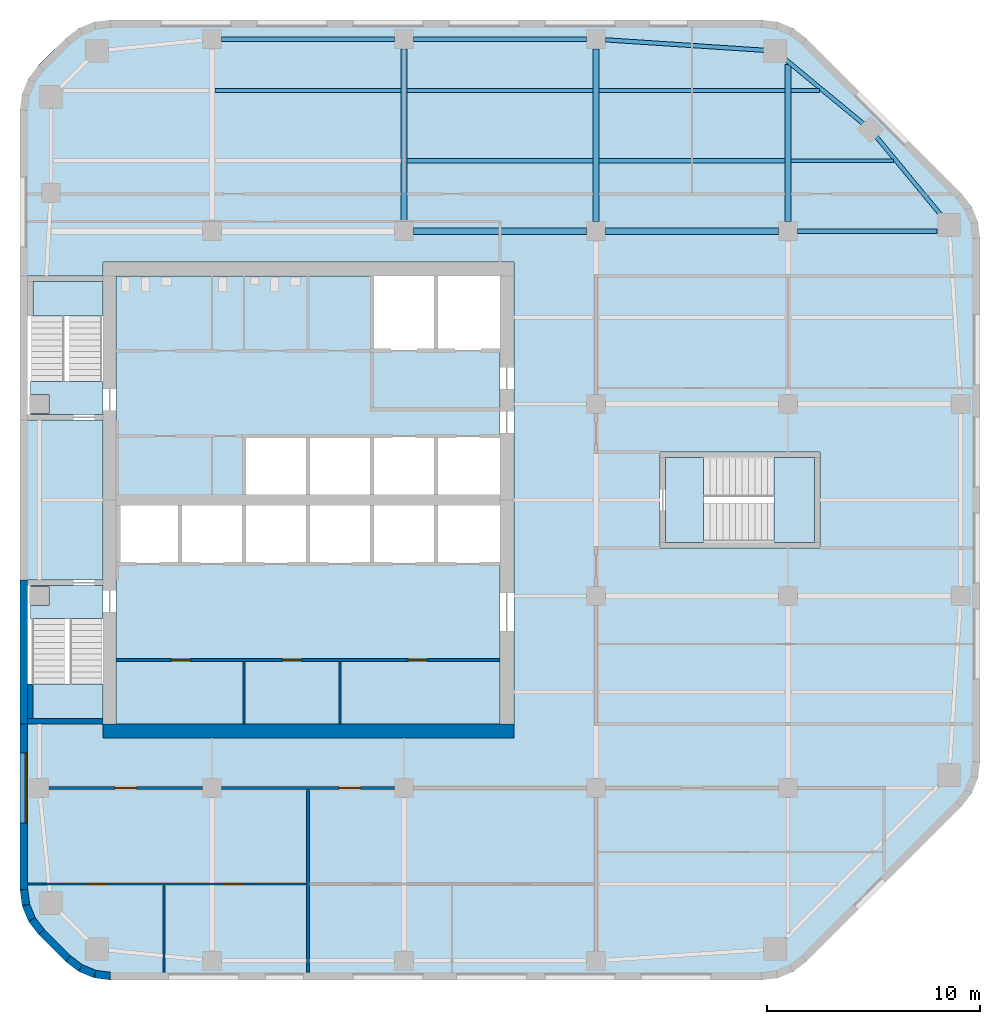
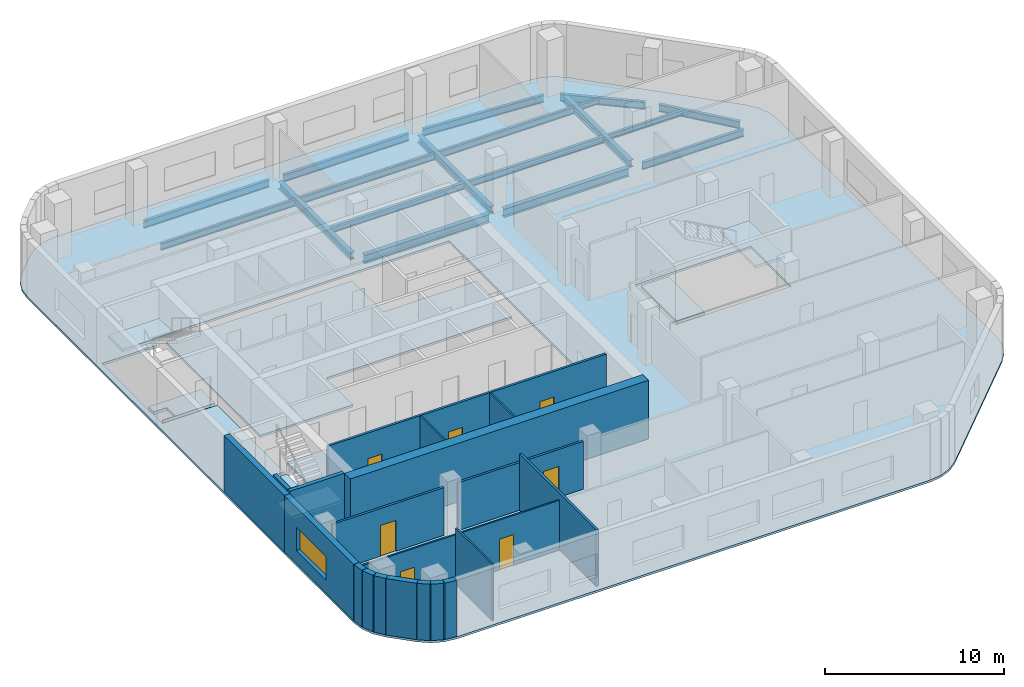
# One storey, part 2 of 8: 20 walls, 18 beams, 9 slabs, 7 doors, 1 window, 8 openings, 3 elements without a shape of their own.
"""IFC4 building model written with IfcOpenShell, lengths in metres."""

from ifc_helpers import new_model, si_unit, direction, frame, frame_2d, origin, origin_2d, place, context, subcontext, project, spatial, polyline, rectangle, i_section, outline, extrude, material, layer, layer_set, material_profile, profile_set, type_object, element, fill, aggregate, save


model = new_model("IFC4")

# Units and contexts
model_context = context("Model", 3, precision=1e-05, world=origin(), true_north=direction((0.0, 1.0)))
body_context = subcontext(model_context, "Body", "Model", "MODEL_VIEW")
ifc_project = project(units=[si_unit("LENGTHUNIT", "METRE"), si_unit("AREAUNIT", "SQUARE_METRE"), si_unit("VOLUMEUNIT", "CUBIC_METRE"), si_unit("PLANEANGLEUNIT", "RADIAN"), si_unit("MASSUNIT", "GRAM", prefix="KILO")], contexts=[model_context])

# Site, building, storey
site_placement = place(None, origin())
site = spatial("IfcSite", under=ifc_project, at=site_placement, CompositionType="ELEMENT")
building_placement = place(site_placement, origin())
building = spatial("IfcBuilding", under=site, at=building_placement, Name="Cinnabar Reach Civic Tower", CompositionType="ELEMENT")
storey_placement = place(building_placement, frame((0.0, 0.0, 181.0)))
storey = spatial("IfcBuildingStorey", under=building, at=storey_placement, Name="L43", CompositionType="ELEMENT", Elevation=181.0)

# Beams
ifc_material_1 = material(Name="Steel Q355B", Category="steel")
ifc_material_profile_1 = material_profile(ifc_material_1, i_section(OverallWidth=0.3, OverallDepth=0.488, WebThickness=0.011, FlangeThickness=0.018, FilletRadius=0.016, at=origin_2d()), Name="HM488x300x11x18")
ifc_profile_set_1 = profile_set([ifc_material_profile_1], Name="Steel Q355B")
beam_type_1 = type_object("IfcBeamType", Name="HM488x300x11x18 beam R 180", PredefinedType="BEAM", material=ifc_profile_set_1)
for number, where, z_axis, x_axis, name in (
    (1, (18.0, 44.552, -0.394), (0.0, 1.0, 0.0), (-1.0, 0.0, 0.0), "Girder T1 L43 6"),
    (2, (27.0, 44.552, -0.394), (0.0, 1.0, 0.0), (-1.0, 0.0, 0.0), "Girder T1 L43 11"),
):
    element("IfcBeam", number, at=place(storey_placement, frame(where, z_axis=z_axis, x_axis=x_axis)), inside=storey, type_object=beam_type_1, Name=name, PredefinedType="BEAM", context=body_context, shape_type="SweptSolid", body=[
        extrude(i_section(OverallWidth=0.3, OverallDepth=0.488, WebThickness=0.011, FlangeThickness=0.018, FilletRadius=0.016, at=origin_2d()), origin(), (0.0, 0.0, 1.0), 8.096),
    ])
beam_1_placement = place(storey_placement, frame((36.0, 44.552, -0.394), z_axis=(0.0, 1.0, 0.0), x_axis=(-1.0, 0.0, 0.0)))
element("IfcBeam", 3, at=beam_1_placement, inside=storey, type_object=beam_type_1, Name="Girder T1 L43 17", PredefinedType="BEAM", context=body_context, shape_type="SweptSolid", body=[
    extrude(i_section(OverallWidth=0.3, OverallDepth=0.488, WebThickness=0.011, FlangeThickness=0.018, FilletRadius=0.016, at=origin_2d()), origin(), (0.0, 0.0, 1.0), 7.3662),
])
ifc_material_profile_2 = material_profile(ifc_material_1, i_section(OverallWidth=0.3, OverallDepth=0.588, WebThickness=0.012, FlangeThickness=0.02, FilletRadius=0.016, at=origin_2d()), Name="HM588x300x12x20")
ifc_profile_set_2 = profile_set([ifc_material_profile_2], Name="Steel Q355B")
beam_type_2 = type_object("IfcBeamType", Name="HM588x300x12x20 beam R 180", PredefinedType="BEAM", material=ifc_profile_set_2)
for number, where, z_axis, x_axis, name in (
    (4, (18.452, 44.1, -0.444), (1.0, 0.0, 0.0), (0.0, 1.0, 0.0), "Girder T1 L43 14"),
    (5, (27.452, 44.1, -0.444), (1.0, 0.0, 0.0), (0.0, 1.0, 0.0), "Girder T1 L43 15"),
):
    element("IfcBeam", number, at=place(storey_placement, frame(where, z_axis=z_axis, x_axis=x_axis)), inside=storey, type_object=beam_type_2, Name=name, PredefinedType="BEAM", context=body_context, shape_type="SweptSolid", body=[
        extrude(i_section(OverallWidth=0.3, OverallDepth=0.588, WebThickness=0.012, FlangeThickness=0.02, FilletRadius=0.016, at=origin_2d()), origin(), (0.0, 0.0, 1.0), 8.096),
    ])
ifc_material_profile_3 = material_profile(ifc_material_1, i_section(OverallWidth=0.175, OverallDepth=0.35, WebThickness=0.007, FlangeThickness=0.011, FilletRadius=0.013, at=origin_2d()), Name="HN350x175x7x11")
ifc_profile_set_3 = profile_set([ifc_material_profile_3], Name="Steel Q355B")
beam_type_3 = type_object("IfcBeamType", Name="HN350x175x7x11 beam R 180", PredefinedType="BEAM", material=ifc_profile_set_3)
beam_2_placement = place(storey_placement, frame((36.152, 47.4, -0.325), z_axis=(1.0, 0.0, 0.0), x_axis=(0.0, 1.0, 0.0)))
element("IfcBeam", 6, at=beam_2_placement, inside=storey, type_object=beam_type_3, Name="Secondary beam T1 L43 20", PredefinedType="BEAM", context=body_context, shape_type="SweptSolid", body=[
    extrude(i_section(OverallWidth=0.175, OverallDepth=0.35, WebThickness=0.007, FlangeThickness=0.011, FilletRadius=0.013, at=origin_2d()), origin(), (0.0, 0.0, 1.0), 4.7866),
])
beam_3_placement = place(storey_placement, frame((36.152, 50.7, -0.325), z_axis=(1.0, 0.0, 0.0), x_axis=(0.0, 1.0, 0.0)))
element("IfcBeam", 7, at=beam_3_placement, inside=storey, type_object=beam_type_3, Name="Secondary beam T1 L43 25", PredefinedType="BEAM", context=body_context, shape_type="SweptSolid", body=[
    extrude(i_section(OverallWidth=0.175, OverallDepth=0.35, WebThickness=0.007, FlangeThickness=0.011, FilletRadius=0.013, at=origin_2d()), origin(), (0.0, 0.0, 1.0), 1.3249),
])
ifc_material_profile_4 = material_profile(ifc_material_1, i_section(OverallWidth=0.2, OverallDepth=0.45, WebThickness=0.009, FlangeThickness=0.014, FilletRadius=0.016, at=origin_2d()), Name="HN450x200x9x14")
ifc_profile_set_4 = profile_set([ifc_material_profile_4], Name="Steel Q355B")
beam_type_4 = type_object("IfcBeamType", Name="HN450x200x9x14 beam R 180", PredefinedType="BEAM", material=ifc_profile_set_4)
for number, where, z_axis, x_axis, name in (
    (8, (18.152, 47.4, -0.375), (1.0, 0.0, 0.0), (0.0, 1.0, 0.0), "Secondary beam T1 L43 18"),
    (9, (27.152, 47.4, -0.375), (1.0, 0.0, 0.0), (0.0, 1.0, 0.0), "Secondary beam T1 L43 19"),
    (10, (9.152, 50.7, -0.375), (1.0, 0.0, 0.0), (0.0, 1.0, 0.0), "Secondary beam T1 L43 22"),
    (11, (18.152, 50.7, -0.375), (1.0, 0.0, 0.0), (0.0, 1.0, 0.0), "Secondary beam T1 L43 23"),
    (12, (27.152, 50.7, -0.375), (1.0, 0.0, 0.0), (0.0, 1.0, 0.0), "Secondary beam T1 L43 24"),
):
    element("IfcBeam", number, at=place(storey_placement, frame(where, z_axis=z_axis, x_axis=x_axis)), inside=storey, type_object=beam_type_4, Name=name, PredefinedType="BEAM", context=body_context, shape_type="SweptSolid", body=[
        extrude(i_section(OverallWidth=0.2, OverallDepth=0.45, WebThickness=0.009, FlangeThickness=0.014, FilletRadius=0.016, at=origin_2d()), origin(), (0.0, 0.0, 1.0), 8.696),
    ])
ifc_material_profile_5 = material_profile(ifc_material_1, i_section(OverallWidth=0.2, OverallDepth=0.5, WebThickness=0.01, FlangeThickness=0.016, FilletRadius=0.016, at=origin_2d()), Name="HN500x200x10x16")
ifc_profile_set_5 = profile_set([ifc_material_profile_5], Name="Steel Q355B")
beam_type_5 = type_object("IfcBeamType", Name="HN500x200x10x16 beam R 180", PredefinedType="BEAM", material=ifc_profile_set_5)
for number, where, z_axis, x_axis, name in (
    (13, (43.1906, 44.8301, -0.4), (-0.63630880182, 0.771434448755, 0.0), (-0.771434448755, -0.63630880182, 0.0), "Edge beam T1 L43 9"),
    (14, (39.5598, 49.1142, -0.4), (-0.771434448755, 0.63630880182, 0.0), (-0.63630880182, -0.771434448755, 0.0), "Edge beam T1 L43 10"),
):
    element("IfcBeam", number, at=place(storey_placement, frame(where, z_axis=z_axis, x_axis=x_axis)), inside=storey, type_object=beam_type_5, Name=name, PredefinedType="BEAM", context=body_context, shape_type="SweptSolid", body=[
        extrude(i_section(OverallWidth=0.2, OverallDepth=0.5, WebThickness=0.01, FlangeThickness=0.016, FilletRadius=0.016, at=origin_2d()), origin(), (0.0, 0.0, 1.0), 4.8348),
    ])
beam_4_placement = place(storey_placement, frame((34.9661, 52.5754, -0.4), z_axis=(-0.99783894477, 0.065707231721, 0.0), x_axis=(-0.065707231721, -0.99783894477, 0.0)))
element("IfcBeam", 15, at=beam_4_placement, inside=storey, type_object=beam_type_5, Name="Edge beam T1 L43 11", PredefinedType="BEAM", context=body_context, shape_type="SweptSolid", body=[
    extrude(i_section(OverallWidth=0.2, OverallDepth=0.5, WebThickness=0.01, FlangeThickness=0.016, FilletRadius=0.016, at=origin_2d()), origin(), (0.0, 0.0, 1.0), 7.5304),
])
for number, where, z_axis, x_axis, name in (
    (16, (26.548, 53.1, -0.4), (-1.0, 0.0, 0.0), (0.0, -1.0, 0.0), "Edge beam T1 L43 12"),
    (17, (17.548, 53.1, -0.4), (-1.0, 0.0, 0.0), (0.0, -1.0, 0.0), "Edge beam T1 L43 13"),
):
    element("IfcBeam", number, at=place(storey_placement, frame(where, z_axis=z_axis, x_axis=x_axis)), inside=storey, type_object=beam_type_5, Name=name, PredefinedType="BEAM", context=body_context, shape_type="SweptSolid", body=[
        extrude(i_section(OverallWidth=0.2, OverallDepth=0.5, WebThickness=0.01, FlangeThickness=0.016, FilletRadius=0.016, at=origin_2d()), origin(), (0.0, 0.0, 1.0), 8.096),
    ])
beam_5_placement = place(storey_placement, frame((36.452, 44.1, -0.4), z_axis=(1.0, 0.0, 0.0), x_axis=(0.0, 1.0, 0.0)))
element("IfcBeam", 18, at=beam_5_placement, inside=storey, type_object=beam_type_5, Name="Girder T1 L43 16", PredefinedType="BEAM", context=body_context, shape_type="SweptSolid", body=[
    extrude(i_section(OverallWidth=0.2, OverallDepth=0.5, WebThickness=0.01, FlangeThickness=0.016, FilletRadius=0.016, at=origin_2d()), origin(), (0.0, 0.0, 1.0), 6.5429),
])

# Slab
ifc_material_2 = material(Name="Concrete C40", Category="concrete")
ifc_layer_1 = layer(ifc_material_2, 0.15)
ifc_layer_set_1 = layer_set([ifc_layer_1], Name="Composite floor slab 150 REI 150")
slab_type_1 = type_object("IfcSlabType", Name="Composite floor slab 150 REI 150", PredefinedType="FLOOR", material=ifc_layer_set_1)
slab_1_placement = place(storey_placement, frame((0.0, 0.0, -0.15)))
element("IfcSlab", 19, at=slab_1_placement, inside=storey, type_object=slab_type_1, Name="Composite floor slab 150 T1 L43", PredefinedType="FLOOR", context=body_context, shape_type="SweptSolid", body=[
    extrude(outline(polyline([(0.8787, 11.1213), (0.4019, 11.7426), (0.1022, 12.4662), (0.0, 13.2426), (0.0, 49.7574), (0.1022, 50.5338), (0.4019, 51.2574), (0.8787, 51.8787), (2.1213, 53.1213), (2.7426, 53.5981), (3.4662, 53.8978), (4.2426, 54.0), (34.7574, 54.0), (35.5338, 53.8978), (36.2574, 53.5981), (36.8787, 53.1213), (44.1213, 45.8787), (44.5981, 45.2574), (44.8978, 44.5338), (45.0, 43.7574), (45.0, 19.2426), (44.8978, 18.4662), (44.5981, 17.7426), (44.1213, 17.1213), (36.8787, 9.8787), (36.2574, 9.4019), (35.5338, 9.1022), (34.7574, 9.0), (4.2426, 9.0), (3.4662, 9.1022), (2.7426, 9.4019), (2.1213, 9.8787), (0.8787, 11.1213)]), holes=[polyline([(0.36, 21.0), (3.9, 21.0), (3.9, 20.35), (23.15, 20.35), (23.15, 42.65), (3.9, 42.65), (3.9, 42.0), (0.36, 42.0), (0.36, 35.25), (3.9, 35.25), (3.9, 27.75), (0.36, 27.75), (0.36, 21.0)]), polyline([(30.0, 33.75), (30.0, 29.25), (37.5, 29.25), (37.5, 33.75), (30.0, 33.75)])]), origin(), (0.0, 0.0, 1.0), 0.15),
])

# Stair, slabs
ifc_material_3 = material(Name="Concrete C40/50", Category="concrete")
stair_type = type_object("IfcStairType", Name="T1 Exit stair, half-turn", PredefinedType="HALF_TURN_STAIR", material=ifc_material_3)
stair_1_placement = place(storey_placement, origin())
stair_1 = element("IfcStair", 20, at=stair_1_placement, inside=storey, type_object=stair_type, Name="Stair T1-S1", PredefinedType="HALF_TURN_STAIR")
ifc_layer_2 = layer(ifc_material_3, 0.2)
ifc_layer_set_2 = layer_set([ifc_layer_2], Name="T1 Stair landing 200, Concrete C40/50")
slab_type_2 = type_object("IfcSlabType", Name="T1 Stair landing 200, Concrete C40/50", PredefinedType="LANDING", material=ifc_layer_set_2)
slab_2_placement = place(storey_placement, frame((0.0, 0.0, -0.2)))
slab_2 = element("IfcSlab", 21, at=slab_2_placement, type_object=slab_type_2, Name="T1-S1 landing 1", PredefinedType="LANDING", context=body_context, shape_type="SweptSolid", body=[
    extrude(outline(polyline([(0.5, 27.5), (3.9, 27.5), (3.9, 25.95), (0.5, 25.95), (0.5, 26.55), (1.35, 26.55), (1.35, 27.45), (0.5, 27.45), (0.5, 27.5)])), origin(), (0.0, 0.0, 1.0), 0.2),
])
slab_3_placement = place(storey_placement, frame((0.0, 0.0, 1.8)))
slab_3 = element("IfcSlab", 22, at=slab_3_placement, type_object=slab_type_2, Name="T1-S1 landing 2", PredefinedType="LANDING", context=body_context, shape_type="SweptSolid", body=[
    extrude(outline(polyline([(0.6, 21.25), (0.6, 22.87), (3.9, 22.87), (3.9, 21.25), (0.6, 21.25)])), origin(), (0.0, 0.0, 1.0), 0.2),
])
aggregate(stair_1, [slab_2, slab_3])

stair_2_placement = place(storey_placement, origin())
stair_2 = element("IfcStair", 23, at=stair_2_placement, inside=storey, type_object=stair_type, Name="Stair T1-S2", PredefinedType="HALF_TURN_STAIR")
slab_4_placement = place(storey_placement, frame((0.0, 0.0, -0.2)))
slab_4 = element("IfcSlab", 24, at=slab_4_placement, type_object=slab_type_2, Name="T1-S2 landing 1", PredefinedType="LANDING", context=body_context, shape_type="SweptSolid", body=[
    extrude(outline(polyline([(0.5, 37.05), (3.9, 37.05), (3.9, 35.5), (0.5, 35.5), (0.5, 35.55), (1.35, 35.55), (1.35, 36.45), (0.5, 36.45), (0.5, 37.05)])), origin(), (0.0, 0.0, 1.0), 0.2),
])
slab_5_placement = place(storey_placement, frame((0.0, 0.0, 1.8)))
slab_5 = element("IfcSlab", 25, at=slab_5_placement, type_object=slab_type_2, Name="T1-S2 landing 2", PredefinedType="LANDING", context=body_context, shape_type="SweptSolid", body=[
    extrude(outline(polyline([(0.6, 40.13), (0.6, 41.75), (3.9, 41.75), (3.9, 40.13), (0.6, 40.13)])), origin(), (0.0, 0.0, 1.0), 0.2),
])
aggregate(stair_2, [slab_4, slab_5])

stair_3_placement = place(storey_placement, origin())
stair_3 = element("IfcStair", 26, at=stair_3_placement, inside=storey, type_object=stair_type, Name="Stair T1-S3", PredefinedType="HALF_TURN_STAIR")
slab_6_placement = place(storey_placement, frame((0.0, 0.0, -0.2)))
slab_6 = element("IfcSlab", 27, at=slab_6_placement, type_object=slab_type_2, Name="T1-S3 landing 1", PredefinedType="LANDING", context=body_context, shape_type="SweptSolid", body=[
    extrude(outline(polyline([(30.25, 29.5), (32.05, 29.5), (32.05, 33.5), (30.25, 33.5), (30.25, 29.5)])), origin(), (0.0, 0.0, 1.0), 0.2),
])
slab_7_placement = place(storey_placement, frame((0.0, 0.0, 1.8)))
slab_7 = element("IfcSlab", 28, at=slab_7_placement, type_object=slab_type_2, Name="T1-S3 landing 2", PredefinedType="LANDING", context=body_context, shape_type="SweptSolid", body=[
    extrude(outline(polyline([(35.35, 29.5), (37.25, 29.5), (37.25, 33.5), (35.35, 33.5), (35.35, 29.5)])), origin(), (0.0, 0.0, 1.0), 0.2),
])
aggregate(stair_3, [slab_6, slab_7])

# Slabs
ifc_layer_3 = layer(ifc_material_3, 0.15)
ifc_layer_set_3 = layer_set([ifc_layer_3], Name="T1 core floor slab 150")
slab_type_3 = type_object("IfcSlabType", Name="T1 core floor slab 150", PredefinedType="FLOOR", material=ifc_layer_set_3)
slab_8_placement = place(storey_placement, frame((0.0, 0.0, -0.15)))
element("IfcSlab", 29, at=slab_8_placement, inside=storey, type_object=slab_type_3, Name="Core floor slab L43", PredefinedType="FLOOR", context=body_context, shape_type="SweptSolid", body=[
    extrude(outline(polyline([(22.5, 21.0), (4.5, 21.0), (4.5, 28.5), (7.5, 28.5), (10.5, 28.5), (13.5, 28.5), (16.5, 28.5), (19.5, 28.5), (22.5, 28.5), (22.5, 21.0)])), origin(), (0.0, 0.0, 1.0), 0.15),
])
slab_9_placement = place(storey_placement, frame((0.0, 0.0, -0.15)))
element("IfcSlab", 30, at=slab_9_placement, inside=storey, type_object=slab_type_3, Name="Core floor slab L43", PredefinedType="FLOOR", context=body_context, shape_type="SweptSolid", body=[
    extrude(outline(polyline([(22.5, 34.5), (19.5, 34.5), (16.5, 34.5), (13.5, 34.5), (10.5, 34.5), (10.5, 31.5), (7.5, 31.5), (4.5, 31.5), (4.5, 42.0), (16.5, 42.0), (16.5, 38.5), (19.5, 38.5), (22.5, 38.5), (22.5, 34.5)])), origin(), (0.0, 0.0, 1.0), 0.15),
])

# Walls
ifc_material_4 = material(Name="Facing brick with insulated backing", Category="masonry")
ifc_layer_4 = layer(ifc_material_4, 0.36)
ifc_layer_set_4 = layer_set([ifc_layer_4], Name="Brick corner wall")
wall_type_1 = type_object("IfcWallType", Name="Brick corner wall", PredefinedType="STANDARD", material=ifc_layer_set_4)
for number, where, z_axis, x_axis, name in (
    (31, (0.183, 13.2314, 0.0), (0.0, 0.0, 1.0), (0.13055608231, -0.99144092581, 0.0), "Brick corner wall"),
    (32, (0.2819, 12.5027, 0.0), (0.0, 0.0, 1.0), (0.382702709855, -0.923871547278, 0.0), "Brick corner wall"),
):
    element("IfcWall", number, at=place(storey_placement, frame(where, z_axis=z_axis, x_axis=x_axis)), inside=storey, type_object=wall_type_1, Name=name, PredefinedType="STANDARD", context=body_context, shape_type="SweptSolid", body=[
        extrude(rectangle(XDim=0.7131, YDim=0.36, at=frame_2d((0.3565, 0.0))), origin(), (0.0, 0.0, 1.0), 3.85),
    ])
for number, where, z_axis, x_axis, name in (
    (33, (0.566, 11.8245, 0.0), (0.0, 0.0, 1.0), (0.608802368033, -0.793321924995, 0.0), "Brick corner wall"),
    (34, (2.2587, 10.0002, 0.0), (0.0, 0.0, 1.0), (0.793321924995, -0.608802368033, 0.0), "Brick corner wall"),
):
    element("IfcWall", number, at=place(storey_placement, frame(where, z_axis=z_axis, x_axis=x_axis)), inside=storey, type_object=wall_type_1, Name=name, PredefinedType="STANDARD", context=body_context, shape_type="SweptSolid", body=[
        extrude(rectangle(XDim=0.7132, YDim=0.36, at=frame_2d((0.3566, 0.0))), origin(), (0.0, 0.0, 1.0), 3.85),
    ])
for number, where, z_axis, x_axis, name in (
    (35, (2.8439, 9.5548, 0.0), (0.0, 0.0, 1.0), (0.923871547278, -0.382702709855, 0.0), "Brick corner wall"),
    (36, (3.5244, 9.2761, 0.0), (0.0, 0.0, 1.0), (0.99144092581, -0.13055608231, 0.0), "Brick corner wall"),
):
    element("IfcWall", number, at=place(storey_placement, frame(where, z_axis=z_axis, x_axis=x_axis)), inside=storey, type_object=wall_type_1, Name=name, PredefinedType="STANDARD", context=body_context, shape_type="SweptSolid", body=[
        extrude(rectangle(XDim=0.7131, YDim=0.36, at=frame_2d((0.3565, 0.0))), origin(), (0.0, 0.0, 1.0), 3.85),
    ])
ifc_layer_5 = layer(ifc_material_4, 0.36)
ifc_layer_set_5 = layer_set([ifc_layer_5], Name="Brick pier and spandrel wall")
wall_type_2 = type_object("IfcWallType", Name="Brick pier and spandrel wall", PredefinedType="STANDARD", material=ifc_layer_set_5)
wall_1_placement = place(storey_placement, frame((0.18, 27.75, 0.0), z_axis=(0.0, 0.0, 1.0), x_axis=(0.0, -1.0, 0.0)))
element("IfcWall", 37, at=wall_1_placement, inside=storey, type_object=wall_type_2, Name="Brick facade wall", PredefinedType="STANDARD", context=body_context, shape_type="SweptSolid", body=[
    extrude(rectangle(XDim=6.75, YDim=0.36, at=frame_2d((3.375, 0.0))), origin(), (0.0, 0.0, 1.0), 3.85),
])

# Wall, opening, window
wall_2_placement = place(storey_placement, frame((0.18, 21.0, 0.0), z_axis=(0.0, 0.0, 1.0), x_axis=(0.0, -1.0, 0.0)))
wall_2 = element("IfcWall", 38, at=wall_2_placement, inside=storey, type_object=wall_type_2, Name="Brick facade wall", PredefinedType="STANDARD", context=body_context, shape_type="SweptSolid", body=[
    extrude(rectangle(XDim=7.7574, YDim=0.36, at=frame_2d((3.8787, 0.0))), origin(), (0.0, 0.0, 1.0), 3.85),
])
opening_1_placement = place(wall_2_placement, frame((1.35, 0.0, 0.9)))
opening_1 = element("IfcOpeningElement", 39, at=opening_1_placement, cuts=wall_2, Name="Opening W1900", PredefinedType="OPENING", context=body_context, shape_type="SweptSolid", body=[
    extrude(rectangle(XDim=3.3, YDim=1.6, at=frame_2d((1.65, 0.8))), frame((0.0, 0.19, 0.0), z_axis=(0.0, -1.0, 0.0), x_axis=(1.0, 0.0, 0.0)), (0.0, 0.0, 1.0), 0.38),
])
ifc_material_5 = material(Name="Clear double glazing in aluminium frame", Category="aluminium")
window_type = type_object("IfcWindowType", Name="Deep-set window A", PartitioningType="SINGLE_PANEL", PredefinedType="WINDOW", material=ifc_material_5)
window_placement = place(opening_1_placement, origin())
window = element("IfcWindow", 40, at=window_placement, inside=storey, type_object=window_type, Name="Window west face", OverallHeight=1.6, OverallWidth=3.3, PartitioningType="SINGLE_PANEL", PredefinedType="WINDOW", context=body_context, shape_type="SweptSolid", body=[
    extrude(rectangle(XDim=3.3, YDim=1.6, at=frame_2d((1.65, 0.8))), frame((0.0, 0.13, 0.0), z_axis=(0.0, -1.0, 0.0), x_axis=(1.0, 0.0, 0.0)), (0.0, 0.0, 1.0), 0.06),
])
fill(opening_1, window)

# Walls
wall_3_placement = place(storey_placement, frame((1.006, 11.2486, 0.0), z_axis=(0.0, 0.0, 1.0), x_axis=(0.707106781187, -0.707106781187, 0.0)))
element("IfcWall", 41, at=wall_3_placement, inside=storey, type_object=wall_type_2, Name="Brick facade wall", PredefinedType="STANDARD", context=body_context, shape_type="SweptSolid", body=[
    extrude(rectangle(XDim=1.7573, YDim=0.36, at=frame_2d((0.8787, 0.0))), origin(), (0.0, 0.0, 1.0), 3.85),
])
ifc_material_6 = material(Name="Concrete C70", Category="concrete")
ifc_layer_6 = layer(ifc_material_6, 0.65)
ifc_layer_set_6 = layer_set([ifc_layer_6], Name="Core wall 650 EI 180")
wall_type_3 = type_object("IfcWallType", Name="Core wall 650 EI 180", PredefinedType="SOLIDWALL", material=ifc_layer_set_6)
wall_4_placement = place(storey_placement, frame((3.9, 20.675, 0.0), z_axis=(0.0, 0.0, 1.0), x_axis=(1.0, 0.0, 0.0)))
element("IfcWall", 42, at=wall_4_placement, inside=storey, type_object=wall_type_3, Name="Core wall T1 L43 S", PredefinedType="SOLIDWALL", context=body_context, shape_type="SweptSolid", body=[
    extrude(rectangle(XDim=19.25, YDim=0.65, at=frame_2d((9.625, 0.0))), origin(), (0.0, 0.0, 1.0), 4.0),
])

# Wall, opening, door
ifc_material_7 = material(Name="Gypsum board on steel studs, double layer", Category="steel")
ifc_layer_7 = layer(ifc_material_7, 0.15)
ifc_layer_set_7 = layer_set([ifc_layer_7], Name="Corridor wall 150 T1")
wall_type_4 = type_object("IfcWallType", Name="Corridor wall 150 T1", PredefinedType="PARTITIONING", material=ifc_layer_set_7)
wall_5_placement = place(storey_placement, frame((1.35, 18.0, 0.0), z_axis=(0.0, 0.0, 1.0), x_axis=(1.0, 0.0, 0.0)))
wall_5 = element("IfcWall", 43, at=wall_5_placement, inside=storey, type_object=wall_type_4, Name="Corridor wall 20", PredefinedType="PARTITIONING", context=body_context, shape_type="SweptSolid", body=[
    extrude(rectangle(XDim=7.2, YDim=0.15, at=frame_2d((3.6, 0.0))), origin(), (0.0, 0.0, 1.0), 3.262),
])
opening_2_placement = place(wall_5_placement, frame((3.1, 0.0, 0.0)))
opening_2 = element("IfcOpeningElement", 44, at=opening_2_placement, cuts=wall_5, Name="Opening D4783", PredefinedType="OPENING", context=body_context, shape_type="SweptSolid", body=[
    extrude(rectangle(XDim=1.0, YDim=2.1, at=frame_2d((0.5, 1.05))), frame((0.0, 0.085, 0.0), z_axis=(0.0, -1.0, 0.0), x_axis=(1.0, 0.0, 0.0)), (0.0, 0.0, 1.0), 0.17),
])
ifc_material_8 = material(Name="Timber door leaf in steel frame", Category="steel")
door_type_1 = type_object("IfcDoorType", Name="Tenancy entrance door 1000 x 2100 T1", OperationType="SINGLE_SWING_LEFT", PredefinedType="DOOR", material=ifc_material_8)
door_1_placement = place(opening_2_placement, frame((1.0, 0.0, 0.0), z_axis=(0.0, 0.0, 1.0), x_axis=(-1.0, 0.0, 0.0)))
door_1 = element("IfcDoor", 45, at=door_1_placement, inside=storey, type_object=door_type_1, Name="Door D4783", OperationType="SINGLE_SWING_RIGHT", OverallHeight=2.1, OverallWidth=1.0, PredefinedType="DOOR", context=body_context, shape_type="SweptSolid", body=[
    extrude(rectangle(XDim=1.0, YDim=2.1, at=frame_2d((0.5, 1.05))), frame((0.0, 0.025, 0.0), z_axis=(0.0, -1.0, 0.0), x_axis=(1.0, 0.0, 0.0)), (0.0, 0.0, 1.0), 0.05),
])
fill(opening_2, door_1)

wall_6_placement = place(storey_placement, frame((9.45, 18.0, 0.0), z_axis=(0.0, 0.0, 1.0), x_axis=(1.0, 0.0, 0.0)))
wall_6 = element("IfcWall", 46, at=wall_6_placement, inside=storey, type_object=wall_type_4, Name="Corridor wall 21", PredefinedType="PARTITIONING", context=body_context, shape_type="SweptSolid", body=[
    extrude(rectangle(XDim=8.1, YDim=0.15, at=frame_2d((4.05, 0.0))), origin(), (0.0, 0.0, 1.0), 3.262),
])
opening_3_placement = place(wall_6_placement, frame((5.5, 0.0, 0.0)))
opening_3 = element("IfcOpeningElement", 47, at=opening_3_placement, cuts=wall_6, Name="Opening D4786", PredefinedType="OPENING", context=body_context, shape_type="SweptSolid", body=[
    extrude(rectangle(XDim=1.0, YDim=2.1, at=frame_2d((0.5, 1.05))), frame((0.0, 0.085, 0.0), z_axis=(0.0, -1.0, 0.0), x_axis=(1.0, 0.0, 0.0)), (0.0, 0.0, 1.0), 0.17),
])
door_2_placement = place(opening_3_placement, frame((1.0, 0.0, 0.0), z_axis=(0.0, 0.0, 1.0), x_axis=(-1.0, 0.0, 0.0)))
door_2 = element("IfcDoor", 48, at=door_2_placement, inside=storey, type_object=door_type_1, Name="Door D4786", OperationType="SINGLE_SWING_LEFT", OverallHeight=2.1, OverallWidth=1.0, PredefinedType="DOOR", context=body_context, shape_type="SweptSolid", body=[
    extrude(rectangle(XDim=1.0, YDim=2.1, at=frame_2d((0.5, 1.05))), frame((0.0, 0.025, 0.0), z_axis=(0.0, -1.0, 0.0), x_axis=(1.0, 0.0, 0.0)), (0.0, 0.0, 1.0), 0.05),
])
fill(opening_3, door_2)

# Wall, openings, doors
wall_7_placement = place(storey_placement, frame((4.5, 24.0, 0.0), z_axis=(0.0, 0.0, 1.0), x_axis=(1.0, 0.0, 0.0)))
wall_7 = element("IfcWall", 49, at=wall_7_placement, inside=storey, type_object=wall_type_4, Name="Corridor wall 26", PredefinedType="PARTITIONING", context=body_context, shape_type="SweptSolid", body=[
    extrude(rectangle(XDim=18.0, YDim=0.15, at=frame_2d((9.0, 0.0))), origin(), (0.0, 0.0, 1.0), 3.85),
])
opening_4_placement = place(wall_7_placement, frame((2.6, 0.0, 0.0)))
opening_4 = element("IfcOpeningElement", 50, at=opening_4_placement, cuts=wall_7, Name="Opening D4769", PredefinedType="OPENING", context=body_context, shape_type="SweptSolid", body=[
    extrude(rectangle(XDim=0.9, YDim=2.1, at=frame_2d((0.45, 1.05))), frame((0.0, 0.085, 0.0), z_axis=(0.0, -1.0, 0.0), x_axis=(1.0, 0.0, 0.0)), (0.0, 0.0, 1.0), 0.17),
])
opening_5_placement = place(wall_7_placement, frame((7.8, 0.0, 0.0)))
opening_5 = element("IfcOpeningElement", 51, at=opening_5_placement, cuts=wall_7, Name="Opening D4770", PredefinedType="OPENING", context=body_context, shape_type="SweptSolid", body=[
    extrude(rectangle(XDim=0.9, YDim=2.1, at=frame_2d((0.45, 1.05))), frame((0.0, 0.085, 0.0), z_axis=(0.0, -1.0, 0.0), x_axis=(1.0, 0.0, 0.0)), (0.0, 0.0, 1.0), 0.17),
])
opening_6_placement = place(wall_7_placement, frame((13.7, 0.0, 0.0)))
opening_6 = element("IfcOpeningElement", 52, at=opening_6_placement, cuts=wall_7, Name="Opening D4771", PredefinedType="OPENING", context=body_context, shape_type="SweptSolid", body=[
    extrude(rectangle(XDim=0.9, YDim=2.1, at=frame_2d((0.45, 1.05))), frame((0.0, 0.085, 0.0), z_axis=(0.0, -1.0, 0.0), x_axis=(1.0, 0.0, 0.0)), (0.0, 0.0, 1.0), 0.17),
])
door_type_2 = type_object("IfcDoorType", Name="Single swing door 900 x 2100 corridor T1", OperationType="SINGLE_SWING_LEFT", PredefinedType="DOOR", material=ifc_material_8)
door_3_placement = place(opening_4_placement, frame((0.9, 0.0, 0.0), z_axis=(0.0, 0.0, 1.0), x_axis=(-1.0, 0.0, 0.0)))
door_3 = element("IfcDoor", 53, at=door_3_placement, inside=storey, type_object=door_type_2, Name="Door D4769", OperationType="SINGLE_SWING_LEFT", OverallHeight=2.1, OverallWidth=0.9, PredefinedType="DOOR", context=body_context, shape_type="SweptSolid", body=[
    extrude(rectangle(XDim=0.9, YDim=2.1, at=frame_2d((0.45, 1.05))), frame((0.0, 0.025, 0.0), z_axis=(0.0, -1.0, 0.0), x_axis=(1.0, 0.0, 0.0)), (0.0, 0.0, 1.0), 0.05),
])
fill(opening_4, door_3)
door_4_placement = place(opening_5_placement, frame((0.9, 0.0, 0.0), z_axis=(0.0, 0.0, 1.0), x_axis=(-1.0, 0.0, 0.0)))
door_4 = element("IfcDoor", 54, at=door_4_placement, inside=storey, type_object=door_type_2, Name="Door D4770", OperationType="SINGLE_SWING_RIGHT", OverallHeight=2.1, OverallWidth=0.9, PredefinedType="DOOR", context=body_context, shape_type="SweptSolid", body=[
    extrude(rectangle(XDim=0.9, YDim=2.1, at=frame_2d((0.45, 1.05))), frame((0.0, 0.025, 0.0), z_axis=(0.0, -1.0, 0.0), x_axis=(1.0, 0.0, 0.0)), (0.0, 0.0, 1.0), 0.05),
])
fill(opening_5, door_4)
door_5_placement = place(opening_6_placement, frame((0.9, 0.0, 0.0), z_axis=(0.0, 0.0, 1.0), x_axis=(-1.0, 0.0, 0.0)))
door_5 = element("IfcDoor", 55, at=door_5_placement, inside=storey, type_object=door_type_2, Name="Door D4771", OperationType="SINGLE_SWING_RIGHT", OverallHeight=2.1, OverallWidth=0.9, PredefinedType="DOOR", context=body_context, shape_type="SweptSolid", body=[
    extrude(rectangle(XDim=0.9, YDim=2.1, at=frame_2d((0.45, 1.05))), frame((0.0, 0.025, 0.0), z_axis=(0.0, -1.0, 0.0), x_axis=(1.0, 0.0, 0.0)), (0.0, 0.0, 1.0), 0.05),
])
fill(opening_6, door_5)

ifc_material_9 = material(Name="Gypsum board on steel studs", Category="steel")
ifc_layer_8 = layer(ifc_material_9, 0.1)
ifc_layer_set_8 = layer_set([ifc_layer_8], Name="Partition wall 100 T1")
wall_type_5 = type_object("IfcWallType", Name="Partition wall 100 T1", PredefinedType="PARTITIONING", material=ifc_layer_set_8)
wall_8_placement = place(storey_placement, frame((0.36, 13.5, 0.0), z_axis=(0.0, 0.0, 1.0), x_axis=(1.0, 0.0, 0.0)))
wall_8 = element("IfcWall", 56, at=wall_8_placement, inside=storey, type_object=wall_type_5, Name="Partition wall 47", PredefinedType="PARTITIONING", context=body_context, shape_type="SweptSolid", body=[
    extrude(rectangle(XDim=13.065, YDim=0.1, at=frame_2d((6.5325, 0.0))), origin(), (0.0, 0.0, 1.0), 3.4),
])
opening_7_placement = place(wall_8_placement, frame((2.8, 0.0, 0.0)))
opening_7 = element("IfcOpeningElement", 57, at=opening_7_placement, cuts=wall_8, Name="Opening D4784", PredefinedType="OPENING", context=body_context, shape_type="SweptSolid", body=[
    extrude(rectangle(XDim=0.9, YDim=2.1, at=frame_2d((0.45, 1.05))), frame((0.0, 0.06, 0.0), z_axis=(0.0, -1.0, 0.0), x_axis=(1.0, 0.0, 0.0)), (0.0, 0.0, 1.0), 0.12),
])
opening_8_placement = place(wall_8_placement, frame((9.19, 0.0, 0.0)))
opening_8 = element("IfcOpeningElement", 58, at=opening_8_placement, cuts=wall_8, Name="Opening D4785", PredefinedType="OPENING", context=body_context, shape_type="SweptSolid", body=[
    extrude(rectangle(XDim=0.9, YDim=2.1, at=frame_2d((0.45, 1.05))), frame((0.0, 0.06, 0.0), z_axis=(0.0, -1.0, 0.0), x_axis=(1.0, 0.0, 0.0)), (0.0, 0.0, 1.0), 0.12),
])
door_type_3 = type_object("IfcDoorType", Name="Single swing door 900 x 2100 T1", OperationType="SINGLE_SWING_LEFT", PredefinedType="DOOR", material=ifc_material_8)
door_6_placement = place(opening_7_placement, frame((0.9, 0.0, 0.0), z_axis=(0.0, 0.0, 1.0), x_axis=(-1.0, 0.0, 0.0)))
door_6 = element("IfcDoor", 59, at=door_6_placement, inside=storey, type_object=door_type_3, Name="Door D4784", OperationType="SINGLE_SWING_LEFT", OverallHeight=2.1, OverallWidth=0.9, PredefinedType="DOOR", context=body_context, shape_type="SweptSolid", body=[
    extrude(rectangle(XDim=0.9, YDim=2.1, at=frame_2d((0.45, 1.05))), frame((0.0, 0.025, 0.0), z_axis=(0.0, -1.0, 0.0), x_axis=(1.0, 0.0, 0.0)), (0.0, 0.0, 1.0), 0.05),
])
fill(opening_7, door_6)
door_7_placement = place(opening_8_placement, frame((0.9, 0.0, 0.0), z_axis=(0.0, 0.0, 1.0), x_axis=(-1.0, 0.0, 0.0)))
door_7 = element("IfcDoor", 60, at=door_7_placement, inside=storey, type_object=door_type_3, Name="Door D4785", OperationType="SINGLE_SWING_LEFT", OverallHeight=2.1, OverallWidth=0.9, PredefinedType="DOOR", context=body_context, shape_type="SweptSolid", body=[
    extrude(rectangle(XDim=0.9, YDim=2.1, at=frame_2d((0.45, 1.05))), frame((0.0, 0.025, 0.0), z_axis=(0.0, -1.0, 0.0), x_axis=(1.0, 0.0, 0.0)), (0.0, 0.0, 1.0), 0.05),
])
fill(opening_8, door_7)

# Walls
wall_9_placement = place(storey_placement, frame((6.75, 9.36, 0.0), z_axis=(0.0, 0.0, 1.0), x_axis=(0.0, 1.0, 0.0)))
element("IfcWall", 61, at=wall_9_placement, inside=storey, type_object=wall_type_5, Name="Partition wall 54", PredefinedType="PARTITIONING", context=body_context, shape_type="SweptSolid", body=[
    extrude(rectangle(XDim=4.09, YDim=0.1, at=frame_2d((2.045, 0.0))), origin(), (0.0, 0.0, 1.0), 3.85),
])
for number, where, z_axis, x_axis, name in (
    (62, (10.5, 21.0, 0.0), (0.0, 0.0, 1.0), (0.0, 1.0, 0.0), "Partition wall 59"),
    (63, (15.0, 21.0, 0.0), (0.0, 0.0, 1.0), (0.0, 1.0, 0.0), "Partition wall 60"),
):
    element("IfcWall", number, at=place(storey_placement, frame(where, z_axis=z_axis, x_axis=x_axis)), inside=storey, type_object=wall_type_5, Name=name, PredefinedType="PARTITIONING", context=body_context, shape_type="SweptSolid", body=[
        extrude(rectangle(XDim=2.925, YDim=0.1, at=frame_2d((1.4625, 0.0))), origin(), (0.0, 0.0, 1.0), 3.85),
    ])
ifc_material_10 = material(Name="Concrete C60", Category="concrete")
ifc_layer_9 = layer(ifc_material_10, 0.25)
ifc_layer_set_9 = layer_set([ifc_layer_9], Name="Stair shaft wall 250 EI 120")
wall_type_6 = type_object("IfcWallType", Name="Stair shaft wall 250 EI 120", PredefinedType="SOLIDWALL", material=ifc_layer_set_9)
wall_10_placement = place(storey_placement, frame((0.36, 21.125, 0.0), z_axis=(0.0, 0.0, 1.0), x_axis=(1.0, 0.0, 0.0)))
element("IfcWall", 64, at=wall_10_placement, inside=storey, type_object=wall_type_6, Name="Stair shaft wall T1-S1 L43", PredefinedType="SOLIDWALL", context=body_context, shape_type="SweptSolid", body=[
    extrude(rectangle(XDim=3.54, YDim=0.25, at=frame_2d((1.77, 0.0))), origin(), (0.0, 0.0, 1.0), 4.0),
])
ifc_layer_10 = layer(ifc_material_3, 0.24)
ifc_layer_set_10 = layer_set([ifc_layer_10], Name="T1 landing bearer wall 240")
wall_type_7 = type_object("IfcWallType", Name="T1 landing bearer wall 240", PredefinedType="STANDARD", material=ifc_layer_set_10)
wall_11_placement = place(storey_placement, frame((0.48, 21.25, 0.0), z_axis=(0.0, 0.0, 1.0), x_axis=(0.0, 1.0, 0.0)))
element("IfcWall", 65, at=wall_11_placement, inside=storey, type_object=wall_type_7, Name="T1-S1 landing bearer wall", PredefinedType="STANDARD", context=body_context, shape_type="SweptSolid", body=[
    extrude(rectangle(XDim=1.62, YDim=0.24, at=frame_2d((0.81, 0.0))), origin(), (0.0, 0.0, 1.0), 4.0),
])
ifc_layer_11 = layer(ifc_material_7, 0.15)
ifc_layer_set_11 = layer_set([ifc_layer_11], Name="Tenancy separating wall 150 T1")
wall_type_8 = type_object("IfcWallType", Name="Tenancy separating wall 150 T1", PredefinedType="PARTITIONING", material=ifc_layer_set_11)
wall_12_placement = place(storey_placement, frame((13.5, 9.36, 0.0), z_axis=(0.0, 0.0, 1.0), x_axis=(0.0, 1.0, 0.0)))
element("IfcWall", 66, at=wall_12_placement, inside=storey, type_object=wall_type_8, Name="Tenancy separating wall 43", PredefinedType="PARTITIONING", context=body_context, shape_type="SweptSolid", body=[
    extrude(rectangle(XDim=8.565, YDim=0.15, at=frame_2d((4.2825, 0.0))), origin(), (0.0, 0.0, 1.0), 3.85),
])

save(model, "model.ifc")
